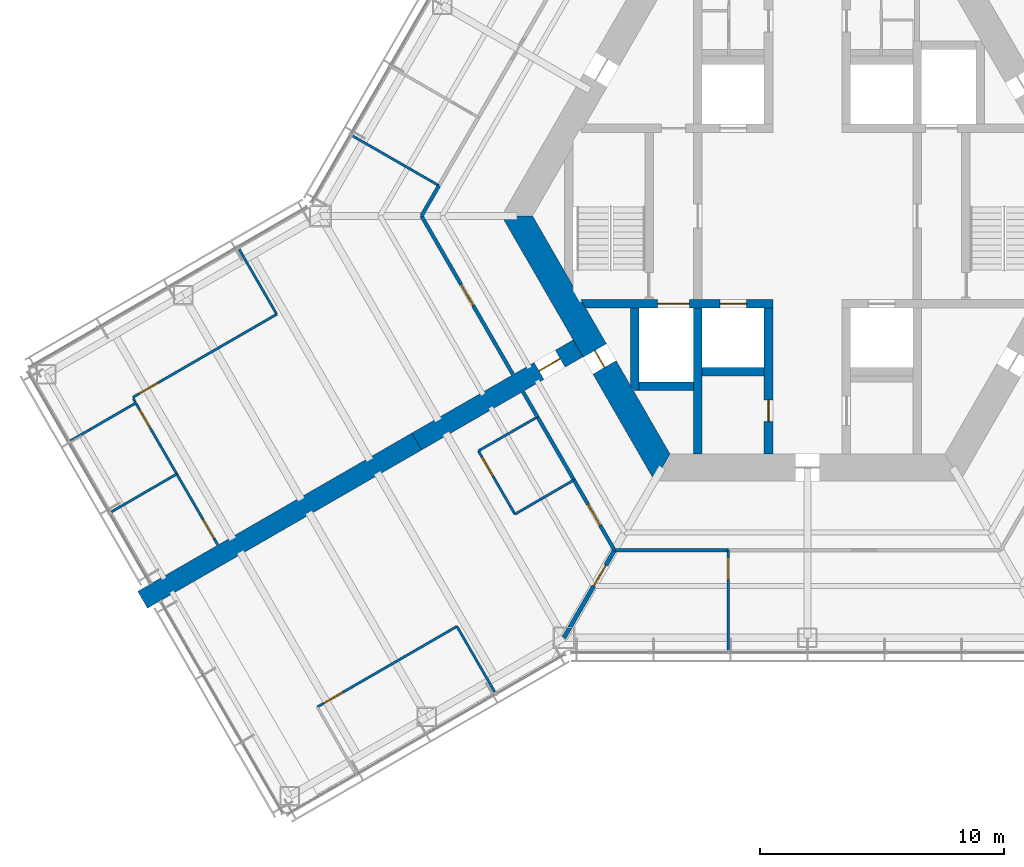
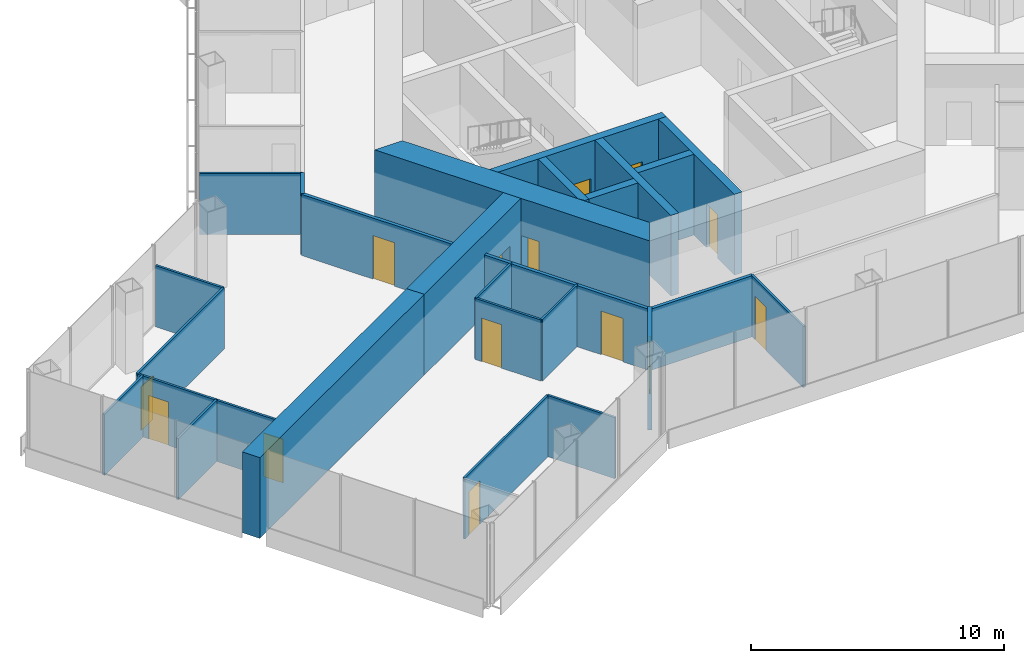
# One storey, part 12 of 19: 30 walls, 14 doors, 14 openings.
"""IFC4 building model written with IfcOpenShell, lengths in metres."""

from ifc_helpers import new_model, si_unit, direction, frame, frame_2d, origin, place, context, subcontext, project, spatial, polyline, rectangle, outline, extrude, material, layer, layer_set, type_object, element, fill, save


model = new_model("IFC4")

# Units and contexts
model_context = context("Model", 3, precision=1e-05, world=origin(), true_north=direction((0.0, 1.0)))
body_context = subcontext(model_context, "Body", "Model", "MODEL_VIEW")
ifc_project = project(units=[si_unit("LENGTHUNIT", "METRE"), si_unit("AREAUNIT", "SQUARE_METRE"), si_unit("VOLUMEUNIT", "CUBIC_METRE"), si_unit("PLANEANGLEUNIT", "RADIAN"), si_unit("MASSUNIT", "GRAM", prefix="KILO")], contexts=[model_context])

# Site, building, storey
site_placement = place(None, origin())
site = spatial("IfcSite", under=ifc_project, at=site_placement, CompositionType="ELEMENT")
building_placement = place(site_placement, origin())
building = spatial("IfcBuilding", under=site, at=building_placement, Name="Kasaneha Research Tower", CompositionType="ELEMENT")
storey_placement = place(building_placement, frame((0.0, 0.0, 104.10009765625)))
storey = spatial("IfcBuildingStorey", under=building, at=storey_placement, Name="L26", CompositionType="ELEMENT", Elevation=104.10009765625)

# Wall, openings, doors
ifc_material_1 = material(Name="Concrete Fc80", Category="concrete")
ifc_layer_1 = layer(ifc_material_1, 0.35009765625)
ifc_layer_set_1 = layer_set([ifc_layer_1], Name="Core internal wall 350 Fc80")
wall_type_1 = type_object("IfcWallType", Name="Core internal wall 350 Fc80", PredefinedType="SHEAR", material=ifc_layer_set_1)
wall_1_placement = place(storey_placement, frame((-9.208740234375, -3.60009765625, 0.0), z_axis=(0.0, 0.0, 1.0), x_axis=(1.0, 0.0, 0.0)))
wall_1 = element("IfcWall", 1, at=wall_1_placement, inside=storey, type_object=wall_type_1, Name="Core wall W2W L26", PredefinedType="SHEAR", context=body_context, shape_type="SweptSolid", body=[
    extrude(outline(polyline([(0.10107421875, -0.175048828125), (3.058837890625, -0.175048828125), (4.35888671875, -0.175048828125), (5.608642578125, -0.175048828125), (6.708740234375, -0.175048828125), (7.78369140625, -0.175048828125), (7.78369140625, 0.175048828125), (6.708740234375, 0.175048828125), (5.608642578125, 0.175048828125), (4.35888671875, 0.175048828125), (3.058837890625, 0.175048828125), (-0.10107421875, 0.175048828125), (0.10107421875, -0.175048828125)])), origin(), (0.0, 0.0, 1.0), 3.89990234375),
])
opening_1_placement = place(wall_1_placement, frame((5.608642578125, 0.0, 0.0)))
opening_1 = element("IfcOpeningElement", 2, at=opening_1_placement, cuts=wall_1, Name="Opening LD-LO2-L26", PredefinedType="OPENING", context=body_context, shape_type="SweptSolid", body=[
    extrude(rectangle(XDim=1.10009765625, YDim=2.10009765625, at=frame_2d((0.550048828125, 1.050048828125))), frame((0.0, 0.18505859375, 0.0), z_axis=(0.0, -1.0, 0.0), x_axis=(1.0, 0.0, 0.0)), (0.0, 0.0, 1.0), 0.3701171875),
])
opening_2_placement = place(wall_1_placement, frame((3.058837890625, 0.0, 0.0)))
opening_2 = element("IfcOpeningElement", 3, at=opening_2_placement, cuts=wall_1, Name="Opening LD-FL2-L26", PredefinedType="OPENING", context=body_context, shape_type="SweptSolid", body=[
    extrude(rectangle(XDim=1.300048828125, YDim=2.10009765625, at=frame_2d((0.64990234375, 1.050048828125))), frame((0.0, 0.18505859375, 0.0), z_axis=(0.0, -1.0, 0.0), x_axis=(1.0, 0.0, 0.0)), (0.0, 0.0, 1.0), 0.3701171875),
])
ifc_material_2 = material(Name="Steel", Category="steel")
door_type_1 = type_object("IfcDoorType", Name="Lift landing door 1100x2100", OperationType="DOUBLE_DOOR_SLIDING", PredefinedType="DOOR", material=ifc_material_2)
door_1_placement = place(opening_1_placement, origin())
door_1 = element("IfcDoor", 4, at=door_1_placement, inside=storey, type_object=door_type_1, Name="Landing door LO2 LD-LO2-L26", OperationType="DOUBLE_DOOR_SLIDING", OverallHeight=2.10009765625, OverallWidth=1.10009765625, PredefinedType="DOOR", context=body_context, shape_type="SweptSolid", body=[
    extrude(rectangle(XDim=1.10009765625, YDim=2.10009765625, at=frame_2d((0.550048828125, 1.050048828125))), frame((0.0, 0.02490234375, 0.0), z_axis=(0.0, -1.0, 0.0), x_axis=(1.0, 0.0, 0.0)), (0.0, 0.0, 1.0), 0.050048828125),
])
fill(opening_1, door_1)
ifc_material_3 = material(Name="Steel", Category="steel")
door_type_2 = type_object("IfcDoorType", Name="Lift landing door 1300x2100", OperationType="DOUBLE_DOOR_SLIDING", PredefinedType="DOOR", material=ifc_material_3)
door_2_placement = place(opening_2_placement, origin())
door_2 = element("IfcDoor", 5, at=door_2_placement, inside=storey, type_object=door_type_2, Name="Landing door FL2 LD-FL2-L26", OperationType="DOUBLE_DOOR_SLIDING", OverallHeight=2.10009765625, OverallWidth=1.300048828125, PredefinedType="DOOR", context=body_context, shape_type="SweptSolid", body=[
    extrude(rectangle(XDim=1.300048828125, YDim=2.10009765625, at=frame_2d((0.64990234375, 1.050048828125))), frame((0.0, 0.02490234375, 0.0), z_axis=(0.0, -1.0, 0.0), x_axis=(1.0, 0.0, 0.0)), (0.0, 0.0, 1.0), 0.050048828125),
])
fill(opening_2, door_2)

# Wall, opening, door
wall_2_placement = place(storey_placement, frame((-1.60009765625, -3.77490234375, 0.0), z_axis=(0.0, 0.0, 1.0), x_axis=(0.0, -1.0, 0.0)))
wall_2 = element("IfcWall", 6, at=wall_2_placement, inside=storey, type_object=wall_type_1, Name="Core wall CSW L26", PredefinedType="SHEAR", context=body_context, shape_type="SweptSolid", body=[
    extrude(rectangle(XDim=6.0, YDim=0.35009765625, at=frame_2d((3.0, 0.0))), origin(), (0.0, 0.0, 1.0), 3.89990234375),
])
opening_3_placement = place(wall_2_placement, frame((3.77490234375, 0.0, 0.0)))
opening_3 = element("IfcOpeningElement", 7, at=opening_3_placement, cuts=wall_2, Name="Opening L26-D16", PredefinedType="OPENING", context=body_context, shape_type="SweptSolid", body=[
    extrude(rectangle(XDim=0.89990234375, YDim=2.10009765625, at=frame_2d((0.449951171875, 1.050048828125))), frame((0.0, 0.18505859375, 0.0), z_axis=(0.0, -1.0, 0.0), x_axis=(1.0, 0.0, 0.0)), (0.0, 0.0, 1.0), 0.3701171875),
])
ifc_material_4 = material(Name="Steel", Category="steel")
door_type_3 = type_object("IfcDoorType", Name="Riser access door FD60 900x2100", OperationType="NOTDEFINED", PredefinedType="DOOR", material=ifc_material_4)
door_3_placement = place(opening_3_placement, origin())
door_3 = element("IfcDoor", 8, at=door_3_placement, inside=storey, type_object=door_type_3, Name="Electrical riser door L26-D16", OperationType="SINGLE_SWING_LEFT", OverallHeight=2.10009765625, OverallWidth=0.89990234375, PredefinedType="DOOR", context=body_context, shape_type="SweptSolid", body=[
    extrude(rectangle(XDim=0.89990234375, YDim=2.10009765625, at=frame_2d((0.449951171875, 1.050048828125))), frame((0.0, 0.02490234375, 0.0), z_axis=(0.0, -1.0, 0.0), x_axis=(1.0, 0.0, 0.0)), (0.0, 0.0, 1.0), 0.050048828125),
])
fill(opening_3, door_3)

# Walls
wall_3_placement = place(storey_placement, frame((-4.5, -3.77490234375, 0.0), z_axis=(0.0, 0.0, 1.0), x_axis=(0.0, -1.0, 0.0)))
element("IfcWall", 9, at=wall_3_placement, inside=storey, type_object=wall_type_1, Name="Core wall SSW L26", PredefinedType="SHEAR", context=body_context, shape_type="SweptSolid", body=[
    extrude(rectangle(XDim=6.0, YDim=0.35009765625, at=frame_2d((3.0, 0.0))), origin(), (0.0, 0.0, 1.0), 3.89990234375),
])
wall_4_placement = place(storey_placement, frame((-4.324951171875, -6.39990234375, 0.0), z_axis=(0.0, 0.0, 1.0), x_axis=(1.0, 0.0, 0.0)))
element("IfcWall", 10, at=wall_4_placement, inside=storey, type_object=wall_type_1, Name="Core wall S1S L26", PredefinedType="SHEAR", context=body_context, shape_type="SweptSolid", body=[
    extrude(rectangle(XDim=2.550048828125, YDim=0.35009765625, at=frame_2d((1.27490234375, 0.0))), origin(), (0.0, 0.0, 1.0), 3.89990234375),
])
wall_5_placement = place(storey_placement, frame((-6.925048828125, -7.0, 0.0), z_axis=(0.0, 0.0, 1.0), x_axis=(1.0, 0.0, 0.0)))
element("IfcWall", 11, at=wall_5_placement, inside=storey, type_object=wall_type_1, Name="Core wall F2S L26", PredefinedType="SHEAR", context=body_context, shape_type="SweptSolid", body=[
    extrude(rectangle(XDim=2.25, YDim=0.35009765625, at=frame_2d((1.125, 0.0))), origin(), (0.0, 0.0, 1.0), 3.89990234375),
])
wall_6_placement = place(storey_placement, frame((-7.10009765625, -3.77490234375, 0.0), z_axis=(0.0, 0.0, 1.0), x_axis=(0.0, -1.0, 0.0)))
element("IfcWall", 12, at=wall_6_placement, inside=storey, type_object=wall_type_1, Name="Core wall F2W L26", PredefinedType="SHEAR", context=body_context, shape_type="SweptSolid", body=[
    extrude(outline(polyline([(0.0, -0.175048828125), (3.174560546875, -0.175048828125), (3.400146484375, 0.0), (3.400146484375, 0.175048828125), (0.0, 0.175048828125), (0.0, -0.175048828125)])), origin(), (0.0, 0.0, 1.0), 3.89990234375),
])

# Wall, opening, door
ifc_material_5 = material(Name="Concrete Fc80", Category="concrete")
ifc_layer_2 = layer(ifc_material_5, 1.10009765625)
ifc_layer_set_2 = layer_set([ifc_layer_2], Name="Core wall 1100 Fc80")
wall_type_2 = type_object("IfcWallType", Name="Core wall 1100 Fc80", PredefinedType="SHEAR", material=ifc_layer_set_2)
wall_7_placement = place(storey_placement, frame((-11.92236328125, 0.0, 0.0), z_axis=(0.0, 0.0, 1.0), x_axis=(0.500004296715, -0.866022923061, 0.0)))
wall_7 = element("IfcWall", 13, at=wall_7_placement, inside=storey, type_object=wall_type_2, Name="Core wall 210 L26", PredefinedType="SHEAR", context=body_context, shape_type="SweptSolid", body=[
    extrude(outline(polyline([(-0.317626953125, -0.550048828125), (6.381103515625, -0.550048828125), (7.18115234375, -0.550048828125), (12.239990234375, -0.550048828125), (11.604736328125, 0.550048828125), (7.18115234375, 0.550048828125), (6.381103515625, 0.550048828125), (0.317626953125, 0.550048828125), (-0.317626953125, -0.550048828125)])), origin(), (0.0, 0.0, 1.0), 3.89990234375),
])
opening_4_placement = place(wall_7_placement, frame((6.381103515625, 0.0, 0.0)))
opening_4 = element("IfcOpeningElement", 14, at=opening_4_placement, cuts=wall_7, Name="Opening L26-D06", PredefinedType="OPENING", context=body_context, shape_type="SweptSolid", body=[
    extrude(rectangle(XDim=0.800048828125, YDim=2.10009765625, at=frame_2d((0.39990234375, 1.050048828125))), frame((0.0, 0.56005859375, 0.0), z_axis=(0.0, -1.0, 0.0), x_axis=(1.0, 0.0, 0.0)), (0.0, 0.0, 1.0), 1.1201171875),
])
ifc_material_6 = material(Name="Steel", Category="steel")
door_type_4 = type_object("IfcDoorType", Name="Riser access door FD60 800x2100", OperationType="NOTDEFINED", PredefinedType="DOOR", material=ifc_material_6)
door_4_placement = place(opening_4_placement, origin())
door_4 = element("IfcDoor", 15, at=door_4_placement, inside=storey, type_object=door_type_4, Name="Duct riser door L26-D06", OperationType="SINGLE_SWING_RIGHT", OverallHeight=2.10009765625, OverallWidth=0.800048828125, PredefinedType="DOOR", context=body_context, shape_type="SweptSolid", body=[
    extrude(rectangle(XDim=0.800048828125, YDim=2.10009765625, at=frame_2d((0.39990234375, 1.050048828125))), frame((0.0, 0.02490234375, 0.0), z_axis=(0.0, -1.0, 0.0), x_axis=(1.0, 0.0, 0.0)), (0.0, 0.0, 1.0), 0.050048828125),
])
fill(opening_4, door_4)

# Walls
ifc_material_7 = material(Name="Gypsum board on steel studs, one layer each side", Category="steel")
ifc_layer_3 = layer(ifc_material_7, 0.10009765625)
ifc_layer_set_3 = layer_set([ifc_layer_3], Name="Office partition 100")
wall_type_3 = type_object("IfcWallType", Name="Office partition 100", PredefinedType="PARTITIONING", material=ifc_layer_set_3)
wall_8_placement = place(storey_placement, frame((-27.5751953125, -7.677978515625, 0.0), z_axis=(0.0, 0.0, 1.0), x_axis=(-0.86525732426, -0.501327999232, 0.0)))
element("IfcWall", 16, at=wall_8_placement, inside=storey, type_object=wall_type_3, Name="Office partition FBN07 L26", PredefinedType="PARTITIONING", context=body_context, shape_type="SweptSolid", body=[
    extrude(rectangle(XDim=3.1005859375, YDim=0.10009765625, at=frame_2d((1.55029296875, 0.0))), origin(), (0.0, 0.0, 1.0), 2.949951171875),
])
wall_9_placement = place(storey_placement, frame((-23.332275390625, -1.36962890625, 0.0), z_axis=(0.0, 0.0, 1.0), x_axis=(0.499992328818, -0.866029832698, 0.0)))
element("IfcWall", 17, at=wall_9_placement, inside=storey, type_object=wall_type_3, Name="Office partition FBN08 L26", PredefinedType="PARTITIONING", context=body_context, shape_type="SweptSolid", body=[
    extrude(rectangle(XDim=3.080078125, YDim=0.10009765625, at=frame_2d((1.5400390625, 0.0))), origin(), (0.0, 0.0, 1.0), 2.949951171875),
])

# Wall, opening, door
wall_10_placement = place(storey_placement, frame((-21.792236328125, -4.037109375, 0.0), z_axis=(0.0, 0.0, 1.0), x_axis=(-0.865970027115, -0.500095902942, 0.0)))
wall_10 = element("IfcWall", 18, at=wall_10_placement, inside=storey, type_object=wall_type_3, Name="Office partition FBN09 L26", PredefinedType="PARTITIONING", context=body_context, shape_type="SweptSolid", body=[
    extrude(rectangle(XDim=6.828369140625, YDim=0.10009765625, at=frame_2d((3.4140625, 0.0))), origin(), (0.0, 0.0, 1.0), 2.949951171875),
])
opening_5_placement = place(wall_10_placement, frame((5.62841796875, 0.0, 0.0)))
opening_5 = element("IfcOpeningElement", 19, at=opening_5_placement, cuts=wall_10, Name="Opening L26-D42", PredefinedType="OPENING", context=body_context, shape_type="SweptSolid", body=[
    extrude(rectangle(XDim=0.89990234375, YDim=2.10009765625, at=frame_2d((0.449951171875, 1.050048828125))), frame((0.0, 0.06005859375, 0.0), z_axis=(0.0, -1.0, 0.0), x_axis=(1.0, 0.0, 0.0)), (0.0, 0.0, 1.0), 0.1201171875),
])
ifc_material_8 = material(Name="Timber veneer", Category="wood")
door_type_5 = type_object("IfcDoorType", Name="Office door 900x2100", OperationType="SINGLE_SWING_LEFT", PredefinedType="DOOR", material=ifc_material_8)
door_5_placement = place(opening_5_placement, origin())
door_5 = element("IfcDoor", 20, at=door_5_placement, inside=storey, type_object=door_type_5, Name="Manager's office door L26-D42", OperationType="SINGLE_SWING_RIGHT", OverallHeight=2.10009765625, OverallWidth=0.89990234375, PredefinedType="DOOR", context=body_context, shape_type="SweptSolid", body=[
    extrude(rectangle(XDim=0.89990234375, YDim=2.10009765625, at=frame_2d((0.449951171875, 1.050048828125))), frame((0.0, 0.02490234375, 0.0), z_axis=(0.0, -1.0, 0.0), x_axis=(1.0, 0.0, 0.0)), (0.0, 0.0, 1.0), 0.050048828125),
])
fill(opening_5, door_5)

# Walls
wall_11_placement = place(storey_placement, frame((-15.13037109375, 1.243408203125, 0.0), z_axis=(0.0, 0.0, 1.0), x_axis=(-0.866568290476, 0.499058511541, 0.0)))
element("IfcWall", 21, at=wall_11_placement, inside=storey, type_object=wall_type_3, Name="Office partition FBN10 L26", PredefinedType="PARTITIONING", context=body_context, shape_type="SweptSolid", body=[
    extrude(rectangle(XDim=4.075439453125, YDim=0.10009765625, at=frame_2d((2.03759765625, 0.0))), origin(), (0.0, 0.0, 1.0), 2.949951171875),
])
wall_12_placement = place(storey_placement, frame((-25.892578125, -10.593994140625, 0.0), z_axis=(0.0, 0.0, 1.0), x_axis=(-0.865232104039, -0.50137152506, 0.0)))
element("IfcWall", 22, at=wall_12_placement, inside=storey, type_object=wall_type_3, Name="Office partition FBN12 L26", PredefinedType="PARTITIONING", context=body_context, shape_type="SweptSolid", body=[
    extrude(rectangle(XDim=3.099853515625, YDim=0.10009765625, at=frame_2d((1.5498046875, 0.0))), origin(), (0.0, 0.0, 1.0), 2.949951171875),
])

# Wall, opening, door
wall_13_placement = place(storey_placement, frame((-27.576904296875, -7.6845703125, 0.0), z_axis=(0.0, 0.0, 1.0), x_axis=(0.499929606556, -0.866066041644, 0.0)))
wall_13 = element("IfcWall", 23, at=wall_13_placement, inside=storey, type_object=wall_type_3, Name="Office partition FBN13 L26", PredefinedType="PARTITIONING", context=body_context, shape_type="SweptSolid", body=[
    extrude(rectangle(XDim=3.36669921875, YDim=0.10009765625, at=frame_2d((1.683349609375, 0.0))), origin(), (0.0, 0.0, 1.0), 2.949951171875),
])
opening_6_placement = place(wall_13_placement, frame((0.300048828125, 0.0, 0.0)))
opening_6 = element("IfcOpeningElement", 24, at=opening_6_placement, cuts=wall_13, Name="Opening L26-D44", PredefinedType="OPENING", context=body_context, shape_type="SweptSolid", body=[
    extrude(rectangle(XDim=0.89990234375, YDim=2.10009765625, at=frame_2d((0.449951171875, 1.050048828125))), frame((0.0, 0.06005859375, 0.0), z_axis=(0.0, -1.0, 0.0), x_axis=(1.0, 0.0, 0.0)), (0.0, 0.0, 1.0), 0.1201171875),
])
door_6_placement = place(opening_6_placement, origin())
door_6 = element("IfcDoor", 25, at=door_6_placement, inside=storey, type_object=door_type_5, Name="Manager's office door L26-D44", OperationType="SINGLE_SWING_LEFT", OverallHeight=2.10009765625, OverallWidth=0.89990234375, PredefinedType="DOOR", context=body_context, shape_type="SweptSolid", body=[
    extrude(rectangle(XDim=0.89990234375, YDim=2.10009765625, at=frame_2d((0.449951171875, 1.050048828125))), frame((0.0, 0.02490234375, 0.0), z_axis=(0.0, -1.0, 0.0), x_axis=(1.0, 0.0, 0.0)), (0.0, 0.0, 1.0), 0.050048828125),
])
fill(opening_6, door_6)

wall_14_placement = place(storey_placement, frame((-25.893798828125, -10.600341796875, 0.0), z_axis=(0.0, 0.0, 1.0), x_axis=(0.501088030279, -0.865396317251, 0.0)))
wall_14 = element("IfcWall", 26, at=wall_14_placement, inside=storey, type_object=wall_type_3, Name="Office partition FBN14 L26", PredefinedType="PARTITIONING", context=body_context, shape_type="SweptSolid", body=[
    extrude(rectangle(XDim=3.3466796875, YDim=0.10009765625, at=frame_2d((1.67333984375, 0.0))), origin(), (0.0, 0.0, 1.0), 2.949951171875),
])
opening_7_placement = place(wall_14_placement, frame((2.146728515625, 0.0, 0.0)))
opening_7 = element("IfcOpeningElement", 27, at=opening_7_placement, cuts=wall_14, Name="Opening L26-D45", PredefinedType="OPENING", context=body_context, shape_type="SweptSolid", body=[
    extrude(rectangle(XDim=0.89990234375, YDim=2.10009765625, at=frame_2d((0.449951171875, 1.050048828125))), frame((0.0, 0.06005859375, 0.0), z_axis=(0.0, -1.0, 0.0), x_axis=(1.0, 0.0, 0.0)), (0.0, 0.0, 1.0), 0.1201171875),
])
door_7_placement = place(opening_7_placement, origin())
door_7 = element("IfcDoor", 28, at=door_7_placement, inside=storey, type_object=door_type_5, Name="Manager's office door L26-D45", OperationType="SINGLE_SWING_RIGHT", OverallHeight=2.10009765625, OverallWidth=0.89990234375, PredefinedType="DOOR", context=body_context, shape_type="SweptSolid", body=[
    extrude(rectangle(XDim=0.89990234375, YDim=2.10009765625, at=frame_2d((0.449951171875, 1.050048828125))), frame((0.0, 0.02490234375, 0.0), z_axis=(0.0, -1.0, 0.0), x_axis=(1.0, 0.0, 0.0)), (0.0, 0.0, 1.0), 0.050048828125),
])
fill(opening_7, door_7)

# Wall
wall_15_placement = place(storey_placement, frame((-13.510986328125, -9.648193359375, 0.0), z_axis=(0.0, 0.0, 1.0), x_axis=(0.86679607088, 0.498662783358, 0.0)))
element("IfcWall", 29, at=wall_15_placement, inside=storey, type_object=wall_type_3, Name="Office partition FBS04 L26", PredefinedType="PARTITIONING", context=body_context, shape_type="SweptSolid", body=[
    extrude(rectangle(XDim=2.800048828125, YDim=0.10009765625, at=frame_2d((1.39990234375, 0.0))), origin(), (0.0, 0.0, 1.0), 2.949951171875),
])

# Wall, opening, door
wall_16_placement = place(storey_placement, frame((-12.010986328125, -12.24609375, 0.0), z_axis=(0.0, 0.0, 1.0), x_axis=(-0.50002537861, 0.866010750942, 0.0)))
wall_16 = element("IfcWall", 30, at=wall_16_placement, inside=storey, type_object=wall_type_3, Name="Office partition FBS05 L26", PredefinedType="PARTITIONING", context=body_context, shape_type="SweptSolid", body=[
    extrude(rectangle(XDim=2.999755859375, YDim=0.10009765625, at=frame_2d((1.5, 0.0))), origin(), (0.0, 0.0, 1.0), 2.949951171875),
])
opening_8_placement = place(wall_16_placement, frame((1.800048828125, 0.0, 0.0)))
opening_8 = element("IfcOpeningElement", 31, at=opening_8_placement, cuts=wall_16, Name="Opening L26-D48", PredefinedType="OPENING", context=body_context, shape_type="SweptSolid", body=[
    extrude(rectangle(XDim=0.89990234375, YDim=2.10009765625, at=frame_2d((0.449951171875, 1.050048828125))), frame((0.0, 0.06005859375, 0.0), z_axis=(0.0, -1.0, 0.0), x_axis=(1.0, 0.0, 0.0)), (0.0, 0.0, 1.0), 0.1201171875),
])
door_8_placement = place(opening_8_placement, origin())
door_8 = element("IfcDoor", 32, at=door_8_placement, inside=storey, type_object=door_type_5, Name="Pantry door L26-D48", OperationType="SINGLE_SWING_RIGHT", OverallHeight=2.10009765625, OverallWidth=0.89990234375, PredefinedType="DOOR", context=body_context, shape_type="SweptSolid", body=[
    extrude(rectangle(XDim=0.89990234375, YDim=2.10009765625, at=frame_2d((0.449951171875, 1.050048828125))), frame((0.0, 0.02490234375, 0.0), z_axis=(0.0, -1.0, 0.0), x_axis=(1.0, 0.0, 0.0)), (0.0, 0.0, 1.0), 0.050048828125),
])
fill(opening_8, door_8)

# Wall
wall_17_placement = place(storey_placement, frame((-9.58837890625, -10.84228515625, 0.0), z_axis=(0.0, 0.0, 1.0), x_axis=(-0.865233198925, -0.501369635576, 0.0)))
element("IfcWall", 33, at=wall_17_placement, inside=storey, type_object=wall_type_3, Name="Office partition FBS06 L26", PredefinedType="PARTITIONING", context=body_context, shape_type="SweptSolid", body=[
    extrude(rectangle(XDim=2.800048828125, YDim=0.10009765625, at=frame_2d((1.39990234375, 0.0))), origin(), (0.0, 0.0, 1.0), 2.949951171875),
])

# Wall, opening, door
wall_18_placement = place(storey_placement, frame((-20.125, -20.163818359375, 0.0), z_axis=(0.0, 0.0, 1.0), x_axis=(0.866030817826, 0.499990622488, 0.0)))
wall_18 = element("IfcWall", 34, at=wall_18_placement, inside=storey, type_object=wall_type_3, Name="Office partition FBS07 L26", PredefinedType="PARTITIONING", context=body_context, shape_type="SweptSolid", body=[
    extrude(rectangle(XDim=6.619873046875, YDim=0.10009765625, at=frame_2d((3.31005859375, 0.0))), origin(), (0.0, 0.0, 1.0), 2.949951171875),
])
opening_9_placement = place(wall_18_placement, frame((0.300048828125, 0.0, 0.0)))
opening_9 = element("IfcOpeningElement", 35, at=opening_9_placement, cuts=wall_18, Name="Opening L26-D49", PredefinedType="OPENING", context=body_context, shape_type="SweptSolid", body=[
    extrude(rectangle(XDim=0.89990234375, YDim=2.10009765625, at=frame_2d((0.449951171875, 1.050048828125))), frame((0.0, 0.06005859375, 0.0), z_axis=(0.0, -1.0, 0.0), x_axis=(1.0, 0.0, 0.0)), (0.0, 0.0, 1.0), 0.1201171875),
])
door_9_placement = place(opening_9_placement, origin())
door_9 = element("IfcDoor", 36, at=door_9_placement, inside=storey, type_object=door_type_5, Name="Manager's office door L26-D49", OperationType="SINGLE_SWING_LEFT", OverallHeight=2.10009765625, OverallWidth=0.89990234375, PredefinedType="DOOR", context=body_context, shape_type="SweptSolid", body=[
    extrude(rectangle(XDim=0.89990234375, YDim=2.10009765625, at=frame_2d((0.449951171875, 1.050048828125))), frame((0.0, 0.02490234375, 0.0), z_axis=(0.0, -1.0, 0.0), x_axis=(1.0, 0.0, 0.0)), (0.0, 0.0, 1.0), 0.050048828125),
])
fill(opening_9, door_9)

# Wall
wall_19_placement = place(storey_placement, frame((-14.39208984375, -16.85400390625, 0.0), z_axis=(0.0, 0.0, 1.0), x_axis=(0.499933790963, -0.866063626216, 0.0)))
element("IfcWall", 37, at=wall_19_placement, inside=storey, type_object=wall_type_3, Name="Office partition FBS09 L26", PredefinedType="PARTITIONING", context=body_context, shape_type="SweptSolid", body=[
    extrude(rectangle(XDim=3.10009765625, YDim=0.10009765625, at=frame_2d((1.550048828125, 0.0))), origin(), (0.0, 0.0, 1.0), 2.949951171875),
])

# Wall, opening, door
wall_20_placement = place(storey_placement, frame((-3.2509765625, -13.72509765625, 0.0), z_axis=(0.0, 0.0, 1.0), x_axis=(0.001125791785, -0.999999366296, 0.0)))
wall_20 = element("IfcWall", 38, at=wall_20_placement, inside=storey, type_object=wall_type_3, Name="Office partition FCS12 L26", PredefinedType="PARTITIONING", context=body_context, shape_type="SweptSolid", body=[
    extrude(rectangle(XDim=4.120361328125, YDim=0.10009765625, at=frame_2d((2.06005859375, 0.0))), origin(), (0.0, 0.0, 1.0), 2.949951171875),
])
opening_10_placement = place(wall_20_placement, frame((0.300048828125, 0.0, 0.0)))
opening_10 = element("IfcOpeningElement", 39, at=opening_10_placement, cuts=wall_20, Name="Opening L26-D56", PredefinedType="OPENING", context=body_context, shape_type="SweptSolid", body=[
    extrude(rectangle(XDim=0.89990234375, YDim=2.10009765625, at=frame_2d((0.449951171875, 1.050048828125))), frame((0.0, 0.06005859375, 0.0), z_axis=(0.0, -1.0, 0.0), x_axis=(1.0, 0.0, 0.0)), (0.0, 0.0, 1.0), 0.1201171875),
])
door_10_placement = place(opening_10_placement, origin())
door_10 = element("IfcDoor", 40, at=door_10_placement, inside=storey, type_object=door_type_5, Name="Meeting room door L26-D56", OperationType="SINGLE_SWING_LEFT", OverallHeight=2.10009765625, OverallWidth=0.89990234375, PredefinedType="DOOR", context=body_context, shape_type="SweptSolid", body=[
    extrude(rectangle(XDim=0.89990234375, YDim=2.10009765625, at=frame_2d((0.449951171875, 1.050048828125))), frame((0.0, 0.02490234375, 0.0), z_axis=(0.0, -1.0, 0.0), x_axis=(1.0, 0.0, 0.0)), (0.0, 0.0, 1.0), 0.050048828125),
])
fill(opening_10, door_10)

# Wall
wall_21_placement = place(storey_placement, frame((-27.680419921875, -7.495361328125, 0.0), z_axis=(0.0, 0.0, 1.0), x_axis=(0.498100166939, -0.867119497933, 0.0)))
element("IfcWall", 41, at=wall_21_placement, inside=storey, type_object=wall_type_3, Name="Office partition closer PT5 L26", PredefinedType="PARTITIONING", context=body_context, shape_type="SweptSolid", body=[
    extrude(rectangle(XDim=0.160888671875, YDim=0.10009765625, at=frame_2d((0.08056640625, 0.0))), origin(), (0.0, 0.0, 1.0), 2.949951171875),
])

# Wall, opening, door
ifc_material_9 = material(Name="Concrete Fc80", Category="concrete")
ifc_layer_4 = layer(ifc_material_9, 0.800048828125)
ifc_layer_set_4 = layer_set([ifc_layer_4], Name="Spine wall 800 Fc80")
wall_type_4 = type_object("IfcWallType", Name="Spine wall 800 Fc80", PredefinedType="SHEAR", material=ifc_layer_set_4)
wall_22_placement = place(storey_placement, frame((-9.41796875, -5.4375, 0.0), z_axis=(0.0, 0.0, 1.0), x_axis=(-0.866029782078, -0.499992416496, 0.0)))
wall_22 = element("IfcWall", 42, at=wall_22_placement, inside=storey, type_object=wall_type_4, Name="Spine wall B L26", PredefinedType="SHEAR", context=body_context, shape_type="SweptSolid", body=[
    extrude(rectangle(XDim=7.6455078125, YDim=0.800048828125, at=frame_2d((3.82275390625, 0.0))), origin(), (0.0, 0.0, 1.0), 3.89990234375),
])
opening_11_placement = place(wall_22_placement, frame((0.85009765625, 0.0, 0.0)))
opening_11 = element("IfcOpeningElement", 43, at=opening_11_placement, cuts=wall_22, Name="Opening L26-D18", PredefinedType="OPENING", context=body_context, shape_type="SweptSolid", body=[
    extrude(rectangle(XDim=1.0, YDim=2.10009765625, at=frame_2d((0.5, 1.050048828125))), frame((0.0, 0.41015625, 0.0), z_axis=(0.0, -1.0, 0.0), x_axis=(1.0, 0.0, 0.0)), (0.0, 0.0, 1.0), 0.820068359375),
])
ifc_material_10 = material(Name="Steel", Category="steel")
door_type_6 = type_object("IfcDoorType", Name="Specified fire door FD60 1000x2100", OperationType="NOTDEFINED", PredefinedType="DOOR", material=ifc_material_10)
door_11_placement = place(opening_11_placement, origin())
door_11 = element("IfcDoor", 44, at=door_11_placement, inside=storey, type_object=door_type_6, Name="Spine doorway B L26-D18", OperationType="SINGLE_SWING_LEFT", OverallHeight=2.10009765625, OverallWidth=1.0, PredefinedType="DOOR", context=body_context, shape_type="SweptSolid", body=[
    extrude(rectangle(XDim=1.0, YDim=2.10009765625, at=frame_2d((0.5, 1.050048828125))), frame((0.0, 0.02490234375, 0.0), z_axis=(0.0, -1.0, 0.0), x_axis=(1.0, 0.0, 0.0)), (0.0, 0.0, 1.0), 0.050048828125),
])
fill(opening_11, door_11)

# Walls
wall_23_placement = place(storey_placement, frame((-16.039306640625, -9.26025390625, 0.0), z_axis=(0.0, 0.0, 1.0), x_axis=(-0.866024837091, -0.50000098154, 0.0)))
element("IfcWall", 45, at=wall_23_placement, inside=storey, type_object=wall_type_4, Name="Spine wall B wing L26", PredefinedType="SHEAR", context=body_context, shape_type="SweptSolid", body=[
    extrude(rectangle(XDim=13.0, YDim=0.800048828125, at=frame_2d((6.5, 0.0))), origin(), (0.0, 0.0, 1.0), 3.89990234375),
])
ifc_material_11 = material(Name="Gypsum board on steel studs, two layers each side", Category="steel")
ifc_layer_5 = layer(ifc_material_11, 0.14990234375)
ifc_layer_set_5 = layer_set([ifc_layer_5], Name="Suite partition 150")
wall_type_5 = type_object("IfcWallType", Name="Suite partition 150", PredefinedType="PARTITIONING", material=ifc_layer_set_5)
wall_24_placement = place(storey_placement, frame((-15.848388671875, 0.0, 0.0), z_axis=(0.0, 0.0, 1.0), x_axis=(0.500070785171, 0.86598453209, 0.0)))
element("IfcWall", 46, at=wall_24_placement, inside=storey, type_object=wall_type_5, Name="Suite partition FBN04 L26", PredefinedType="PARTITIONING", context=body_context, shape_type="SweptSolid", body=[
    extrude(rectangle(XDim=1.435791015625, YDim=0.14990234375, at=frame_2d((0.7177734375, 0.0))), origin(), (0.0, 0.0, 1.0), 2.949951171875),
])

# Wall, opening, door
wall_25_placement = place(storey_placement, frame((-12.09619140625, -6.498779296875, 0.0), z_axis=(0.0, 0.0, 1.0), x_axis=(-0.500012521841, 0.866018174175, 0.0)))
wall_25 = element("IfcWall", 47, at=wall_25_placement, inside=storey, type_object=wall_type_5, Name="Suite partition FBN05 L26", PredefinedType="PARTITIONING", context=body_context, shape_type="SweptSolid", body=[
    extrude(rectangle(XDim=7.504150390625, YDim=0.14990234375, at=frame_2d((3.751953125, 0.0))), origin(), (0.0, 0.0, 1.0), 2.949951171875),
])
opening_12_placement = place(wall_25_placement, frame((3.252197265625, 0.0, 0.0)))
opening_12 = element("IfcOpeningElement", 48, at=opening_12_placement, cuts=wall_25, Name="Opening L26-D40", PredefinedType="OPENING", context=body_context, shape_type="SweptSolid", body=[
    extrude(rectangle(XDim=1.0, YDim=2.10009765625, at=frame_2d((0.5, 1.050048828125))), frame((0.0, 0.0849609375, 0.0), z_axis=(0.0, -1.0, 0.0), x_axis=(1.0, 0.0, 0.0)), (0.0, 0.0, 1.0), 0.169921875),
])
ifc_material_12 = material(Name="Steel", Category="steel")
door_type_7 = type_object("IfcDoorType", Name="Suite entrance door FD60 1000x2100", OperationType="NOTDEFINED", PredefinedType="DOOR", material=ifc_material_12)
door_12_placement = place(opening_12_placement, origin())
door_12 = element("IfcDoor", 49, at=door_12_placement, inside=storey, type_object=door_type_7, Name="Suite entrance door L26-D40", OperationType="SINGLE_SWING_RIGHT", OverallHeight=2.10009765625, OverallWidth=1.0, PredefinedType="DOOR", context=body_context, shape_type="SweptSolid", body=[
    extrude(rectangle(XDim=1.0, YDim=2.10009765625, at=frame_2d((0.5, 1.050048828125))), frame((0.0, 0.02490234375, 0.0), z_axis=(0.0, -1.0, 0.0), x_axis=(1.0, 0.0, 0.0)), (0.0, 0.0, 1.0), 0.050048828125),
])
fill(opening_12, door_12)

# Walls
wall_26_placement = place(storey_placement, frame((-9.583740234375, -10.8505859375, 0.0), z_axis=(0.0, 0.0, 1.0), x_axis=(-0.499977562641, 0.866038357612, 0.0)))
element("IfcWall", 50, at=wall_26_placement, inside=storey, type_object=wall_type_5, Name="Suite partition FBS01 L26", PredefinedType="PARTITIONING", context=body_context, shape_type="SweptSolid", body=[
    extrude(rectangle(XDim=3.010009765625, YDim=0.14990234375, at=frame_2d((1.5048828125, 0.0))), origin(), (0.0, 0.0, 1.0), 2.949951171875),
])
wall_27_placement = place(storey_placement, frame((-11.083984375, -8.251953125, 0.0), z_axis=(0.0, 0.0, 1.0), x_axis=(-0.500085263423, 0.865976171327, 0.0)))
element("IfcWall", 51, at=wall_27_placement, inside=storey, type_object=wall_type_5, Name="Suite partition FBS02 L26", PredefinedType="PARTITIONING", context=body_context, shape_type="SweptSolid", body=[
    extrude(rectangle(XDim=1.184326171875, YDim=0.14990234375, at=frame_2d((0.59228515625, 0.0))), origin(), (0.0, 0.0, 1.0), 2.949951171875),
])

# Wall, opening, door
wall_28_placement = place(storey_placement, frame((-7.935791015625, -13.705078125, 0.0), z_axis=(0.0, 0.0, 1.0), x_axis=(-0.499944092787, 0.866057679423, 0.0)))
wall_28 = element("IfcWall", 52, at=wall_28_placement, inside=storey, type_object=wall_type_5, Name="Suite partition FBS03 L26", PredefinedType="PARTITIONING", context=body_context, shape_type="SweptSolid", body=[
    extrude(rectangle(XDim=3.3056640625, YDim=0.14990234375, at=frame_2d((1.65283203125, 0.0))), origin(), (0.0, 0.0, 1.0), 2.949951171875),
])
opening_13_placement = place(wall_28_placement, frame((1.15283203125, 0.0, 0.0)))
opening_13 = element("IfcOpeningElement", 53, at=opening_13_placement, cuts=wall_28, Name="Opening L26-D47", PredefinedType="OPENING", context=body_context, shape_type="SweptSolid", body=[
    extrude(rectangle(XDim=1.0, YDim=2.10009765625, at=frame_2d((0.5, 1.050048828125))), frame((0.0, 0.0849609375, 0.0), z_axis=(0.0, -1.0, 0.0), x_axis=(1.0, 0.0, 0.0)), (0.0, 0.0, 1.0), 0.169921875),
])
door_13_placement = place(opening_13_placement, origin())
door_13 = element("IfcDoor", 54, at=door_13_placement, inside=storey, type_object=door_type_7, Name="Suite entrance door L26-D47", OperationType="SINGLE_SWING_RIGHT", OverallHeight=2.10009765625, OverallWidth=1.0, PredefinedType="DOOR", context=body_context, shape_type="SweptSolid", body=[
    extrude(rectangle(XDim=1.0, YDim=2.10009765625, at=frame_2d((0.5, 1.050048828125))), frame((0.0, 0.02490234375, 0.0), z_axis=(0.0, -1.0, 0.0), x_axis=(1.0, 0.0, 0.0)), (0.0, 0.0, 1.0), 0.050048828125),
])
fill(opening_13, door_13)

# Wall
wall_29_placement = place(storey_placement, frame((-3.241455078125, -13.72509765625, 0.0), z_axis=(0.0, 0.0, 1.0), x_axis=(-1.0, 0.0, 0.0)))
element("IfcWall", 55, at=wall_29_placement, inside=storey, type_object=wall_type_5, Name="Suite partition FCS02 L26", PredefinedType="PARTITIONING", context=body_context, shape_type="SweptSolid", body=[
    extrude(rectangle(XDim=4.659423828125, YDim=0.14990234375, at=frame_2d((2.32958984375, 0.0))), origin(), (0.0, 0.0, 1.0), 2.949951171875),
])

# Wall, opening, door
ifc_material_13 = material(Name="Gypsum board on steel studs, two layers each side", Category="steel")
ifc_layer_6 = layer(ifc_material_13, 0.175048828125)
ifc_layer_set_6 = layer_set([ifc_layer_6], Name="Tenancy fire partition 175")
wall_type_6 = type_object("IfcWallType", Name="Tenancy fire partition 175", PredefinedType="PARTITIONING", material=ifc_layer_set_6)
wall_30_placement = place(storey_placement, frame((-7.924072265625, -13.72509765625, 0.0), z_axis=(0.0, 0.0, 1.0), x_axis=(-0.500015991208, -0.866016171059, 0.0)))
wall_30 = element("IfcWall", 56, at=wall_30_placement, inside=storey, type_object=wall_type_6, Name="Tenancy fire partition T240 L26", PredefinedType="PARTITIONING", context=body_context, shape_type="SweptSolid", body=[
    extrude(rectangle(XDim=4.151611328125, YDim=0.175048828125, at=frame_2d((2.07568359375, 0.0))), origin(), (0.0, 0.0, 1.0), 3.0498046875),
])
opening_14_placement = place(wall_30_placement, frame((0.699951171875, 0.0, 0.0)))
opening_14 = element("IfcOpeningElement", 57, at=opening_14_placement, cuts=wall_30, Name="Opening L26-D26", PredefinedType="OPENING", context=body_context, shape_type="SweptSolid", body=[
    extrude(rectangle(XDim=1.0, YDim=2.10009765625, at=frame_2d((0.5, 1.050048828125))), frame((0.0, 0.09765625, 0.0), z_axis=(0.0, -1.0, 0.0), x_axis=(1.0, 0.0, 0.0)), (0.0, 0.0, 1.0), 0.195068359375),
])
door_14_placement = place(opening_14_placement, origin())
door_14 = element("IfcDoor", 58, at=door_14_placement, inside=storey, type_object=door_type_7, Name="Connecting door L26-D26", OperationType="SINGLE_SWING_LEFT", OverallHeight=2.10009765625, OverallWidth=1.0, PredefinedType="DOOR", context=body_context, shape_type="SweptSolid", body=[
    extrude(rectangle(XDim=1.0, YDim=2.10009765625, at=frame_2d((0.5, 1.050048828125))), frame((0.0, 0.02490234375, 0.0), z_axis=(0.0, -1.0, 0.0), x_axis=(1.0, 0.0, 0.0)), (0.0, 0.0, 1.0), 0.050048828125),
])
fill(opening_14, door_14)

save(model, "model.ifc")
